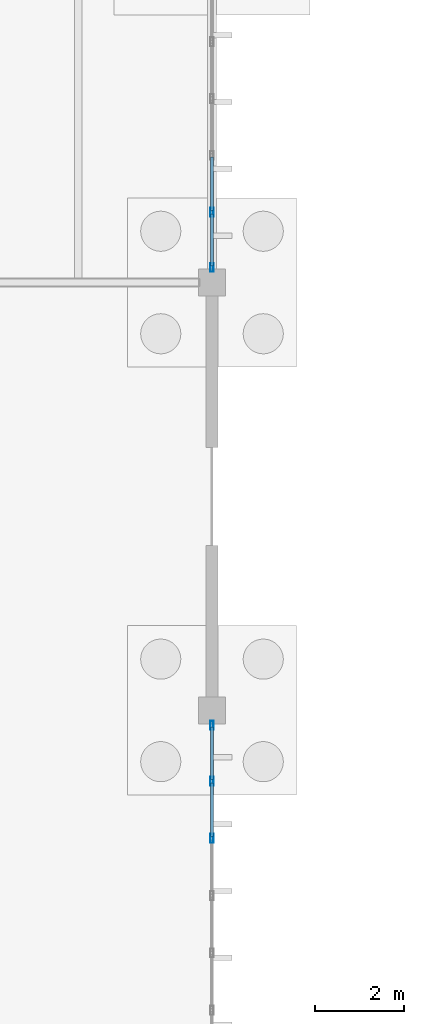
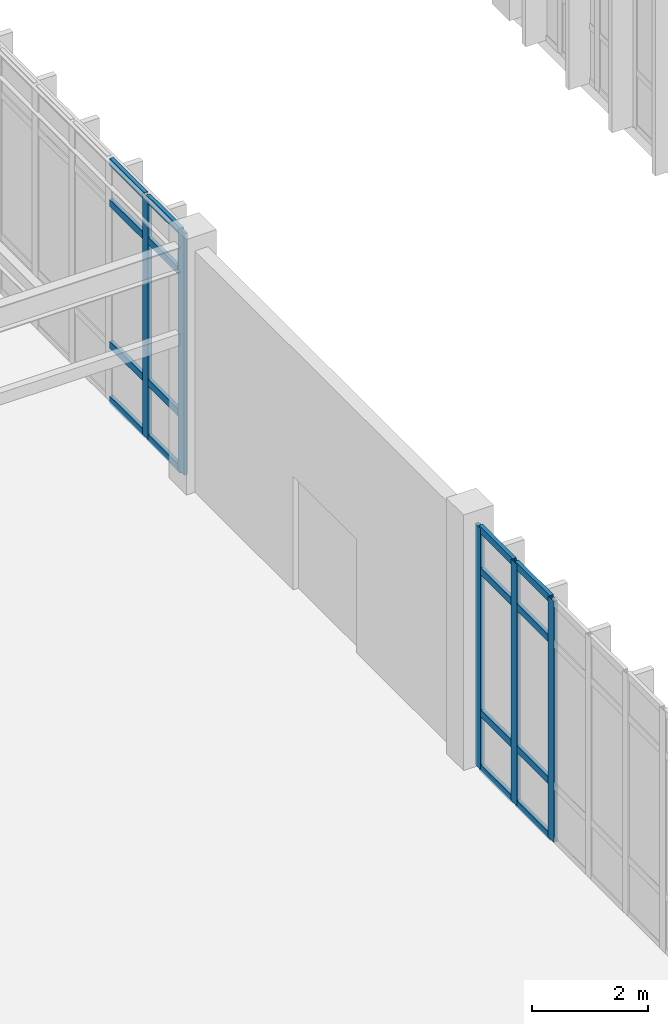
# One storey, part 110 of 188: 21 members, 2 elements without a shape of their own.
"""IFC4 building model written with IfcOpenShell, lengths in metres."""

from ifc_helpers import new_model, si_unit, direction, frame, origin, origin_2d, place, context, subcontext, project, spatial, hollow_rectangle, extrude, material, layer, layer_set, material_profile, profile_set, type_object, element, aggregate, save


model = new_model("IFC4")

# Units and contexts
model_context = context("Model", 3, precision=1e-05, world=origin(), true_north=direction((0.0, 1.0)))
body_context = subcontext(model_context, "Body", "Model", "MODEL_VIEW")
ifc_project = project(units=[si_unit("LENGTHUNIT", "METRE"), si_unit("AREAUNIT", "SQUARE_METRE"), si_unit("VOLUMEUNIT", "CUBIC_METRE"), si_unit("PLANEANGLEUNIT", "RADIAN"), si_unit("MASSUNIT", "GRAM", prefix="KILO")], contexts=[model_context])

# Site, building, storey
site_placement = place(None, origin())
site = spatial("IfcSite", under=ifc_project, at=site_placement, CompositionType="ELEMENT")
building_placement = place(site_placement, origin())
building = spatial("IfcBuilding", under=site, at=building_placement, Name="Pandanus Reach Market Hall", CompositionType="ELEMENT")
storey_placement = place(building_placement, origin())
storey = spatial("IfcBuildingStorey", under=building, at=storey_placement, Name="L00", CompositionType="ELEMENT", Elevation=0.0)

# Curtain wall, members
ifc_material_1 = material(Name="Bronze anodised aluminium and low-E glass", Category="aluminium")
ifc_layer_1 = layer(ifc_material_1, 0.199951171875, Name="CW-06")
ifc_layer_set_1 = layer_set([ifc_layer_1], Name="Bronze anodised aluminium and low-E glass")
curtain_wall_type_1 = type_object("IfcCurtainWallType", Name="CW-06", PredefinedType="NOTDEFINED", material=ifc_layer_set_1)
curtain_wall_1_placement = place(storey_placement, origin())
curtain_wall_1 = element("IfcCurtainWall", 1, at=curtain_wall_1_placement, inside=storey, type_object=curtain_wall_type_1, Name="Glazed curtain wall CW-06 CW-0030", PredefinedType="NOTDEFINED")
ifc_material_2 = material(Name="Bronze anodised aluminium", Category="aluminium")
ifc_material_profile_1 = material_profile(ifc_material_2, hollow_rectangle(XDim=0.074951171875, YDim=0.199951171875, WallThickness=0.00439453125, at=origin_2d()), Name="ALU75x200", Category="LoadBearing")
ifc_profile_set_1 = profile_set([ifc_material_profile_1], Name="Bronze anodised aluminium")
member_type_1 = type_object("IfcMemberType", Name="CW-M2", PredefinedType="MULLION", material=ifc_profile_set_1)
member_1_placement = place(storey_placement, frame((132.0, 64.32861328125, 0.0), z_axis=(0.0, 0.0, 1.0), x_axis=(-1.0, 0.0, 0.0)))
member_1 = element("IfcMember", 2, at=member_1_placement, type_object=member_type_1, Name="CW-06 mullion 6", PredefinedType="MULLION", context=body_context, shape_type="SweptSolid", body=[
    extrude(hollow_rectangle(XDim=0.074951171875, YDim=0.199951171875, WallThickness=0.00439453125, at=origin_2d()), origin(), (0.0, 0.0, 1.0), 5.10009765625),
])
member_2_placement = place(storey_placement, frame((132.0, 65.6142578125, 0.0), z_axis=(0.0, 0.0, 1.0), x_axis=(-1.0, 0.0, 0.0)))
member_2 = element("IfcMember", 3, at=member_2_placement, type_object=member_type_1, Name="CW-06 mullion 7", PredefinedType="MULLION", context=body_context, shape_type="SweptSolid", body=[
    extrude(hollow_rectangle(XDim=0.074951171875, YDim=0.199951171875, WallThickness=0.00439453125, at=origin_2d()), origin(), (0.0, 0.0, 1.0), 5.10009765625),
])
member_3_placement = place(storey_placement, frame((132.0, 66.862548828125, 0.0), z_axis=(0.0, 0.0, 1.0), x_axis=(-1.0, 0.0, 0.0)))
member_3 = element("IfcMember", 4, at=member_3_placement, type_object=member_type_1, Name="CW-06 mullion 8", PredefinedType="MULLION", context=body_context, shape_type="SweptSolid", body=[
    extrude(hollow_rectangle(XDim=0.074951171875, YDim=0.199951171875, WallThickness=0.00439453125, at=origin_2d()), origin(), (0.0, 0.0, 1.0), 5.10009765625),
])

ifc_layer_2 = layer(ifc_material_1, 0.199951171875, Name="CW-03")
ifc_layer_set_2 = layer_set([ifc_layer_2], Name="Bronze anodised aluminium and low-E glass")
curtain_wall_type_2 = type_object("IfcCurtainWallType", Name="CW-03", PredefinedType="NOTDEFINED", material=ifc_layer_set_2)
curtain_wall_2_placement = place(storey_placement, origin())
curtain_wall_2 = element("IfcCurtainWall", 5, at=curtain_wall_2_placement, inside=storey, type_object=curtain_wall_type_2, Name="Glazed curtain wall CW-03 CW-0036", PredefinedType="NOTDEFINED")
member_4_placement = place(storey_placement, frame((132.0, 77.137451171875, 0.0), z_axis=(0.0, 0.0, 1.0), x_axis=(-1.0, 0.0, 0.0)))
member_4 = element("IfcMember", 6, at=member_4_placement, type_object=member_type_1, Name="CW-03 mullion 1", PredefinedType="MULLION", context=body_context, shape_type="SweptSolid", body=[
    extrude(hollow_rectangle(XDim=0.074951171875, YDim=0.199951171875, WallThickness=0.00439453125, at=origin_2d()), origin(), (0.0, 0.0, 1.0), 5.10009765625),
])
member_5_placement = place(storey_placement, frame((132.0, 78.375, 0.0), z_axis=(0.0, 0.0, 1.0), x_axis=(-1.0, 0.0, 0.0)))
member_5 = element("IfcMember", 7, at=member_5_placement, type_object=member_type_1, Name="CW-03 mullion 2", PredefinedType="MULLION", context=body_context, shape_type="SweptSolid", body=[
    extrude(hollow_rectangle(XDim=0.074951171875, YDim=0.199951171875, WallThickness=0.00439453125, at=origin_2d()), origin(), (0.0, 0.0, 1.0), 5.10009765625),
])

# Member
ifc_material_profile_2 = material_profile(ifc_material_2, hollow_rectangle(XDim=0.074951171875, YDim=0.14990234375, WallThickness=0.00439453125, at=origin_2d()), Name="ALU75x150", Category="LoadBearing")
ifc_profile_set_2 = profile_set([ifc_material_profile_2], Name="Bronze anodised aluminium")
member_type_2 = type_object("IfcMemberType", Name="CW-T2", PredefinedType="USERDEFINED", material=ifc_profile_set_2)
member_6_placement = place(storey_placement, frame((132.0, 64.365966796875, 0.03759765625), z_axis=(0.0, 1.0, 0.0), x_axis=(-1.0, 0.0, 0.0)))
member_6 = element("IfcMember", 8, at=member_6_placement, type_object=member_type_2, Name="CW-06 transom 6.1", ObjectType="TRANSOM", PredefinedType="USERDEFINED", context=body_context, shape_type="SweptSolid", body=[
    extrude(hollow_rectangle(XDim=0.074951171875, YDim=0.14990234375, WallThickness=0.00439453125, at=origin_2d()), origin(), (0.0, 0.0, 1.0), 1.2109375),
])

member_7_placement = place(storey_placement, frame((132.0, 64.365966796875, 1.199951171875), z_axis=(0.0, 1.0, 0.0), x_axis=(-1.0, 0.0, 0.0)))
member_7 = element("IfcMember", 9, at=member_7_placement, type_object=member_type_2, Name="CW-06 transom 6.2", ObjectType="TRANSOM", PredefinedType="USERDEFINED", context=body_context, shape_type="SweptSolid", body=[
    extrude(hollow_rectangle(XDim=0.074951171875, YDim=0.14990234375, WallThickness=0.00439453125, at=origin_2d()), origin(), (0.0, 0.0, 1.0), 1.2109375),
])

member_8_placement = place(storey_placement, frame((132.0, 64.365966796875, 4.199951171875), z_axis=(0.0, 1.0, 0.0), x_axis=(-1.0, 0.0, 0.0)))
member_8 = element("IfcMember", 10, at=member_8_placement, type_object=member_type_2, Name="CW-06 transom 6.3", ObjectType="TRANSOM", PredefinedType="USERDEFINED", context=body_context, shape_type="SweptSolid", body=[
    extrude(hollow_rectangle(XDim=0.074951171875, YDim=0.14990234375, WallThickness=0.00439453125, at=origin_2d()), origin(), (0.0, 0.0, 1.0), 1.2109375),
])

member_9_placement = place(storey_placement, frame((132.0, 64.365966796875, 5.0625), z_axis=(0.0, 1.0, 0.0), x_axis=(-1.0, 0.0, 0.0)))
member_9 = element("IfcMember", 11, at=member_9_placement, type_object=member_type_2, Name="CW-06 transom 6.4", ObjectType="TRANSOM", PredefinedType="USERDEFINED", context=body_context, shape_type="SweptSolid", body=[
    extrude(hollow_rectangle(XDim=0.074951171875, YDim=0.14990234375, WallThickness=0.00439453125, at=origin_2d()), origin(), (0.0, 0.0, 1.0), 1.2109375),
])

member_10_placement = place(storey_placement, frame((132.0, 65.65185546875, 0.03759765625), z_axis=(0.0, 1.0, 0.0), x_axis=(-1.0, 0.0, 0.0)))
member_10 = element("IfcMember", 12, at=member_10_placement, type_object=member_type_2, Name="CW-06 transom 7.1", ObjectType="TRANSOM", PredefinedType="USERDEFINED", context=body_context, shape_type="SweptSolid", body=[
    extrude(hollow_rectangle(XDim=0.074951171875, YDim=0.14990234375, WallThickness=0.00439453125, at=origin_2d()), origin(), (0.0, 0.0, 1.0), 1.173095703125),
])

member_11_placement = place(storey_placement, frame((132.0, 65.65185546875, 1.199951171875), z_axis=(0.0, 1.0, 0.0), x_axis=(-1.0, 0.0, 0.0)))
member_11 = element("IfcMember", 13, at=member_11_placement, type_object=member_type_2, Name="CW-06 transom 7.2", ObjectType="TRANSOM", PredefinedType="USERDEFINED", context=body_context, shape_type="SweptSolid", body=[
    extrude(hollow_rectangle(XDim=0.074951171875, YDim=0.14990234375, WallThickness=0.00439453125, at=origin_2d()), origin(), (0.0, 0.0, 1.0), 1.173095703125),
])

member_12_placement = place(storey_placement, frame((132.0, 65.65185546875, 4.199951171875), z_axis=(0.0, 1.0, 0.0), x_axis=(-1.0, 0.0, 0.0)))
member_12 = element("IfcMember", 14, at=member_12_placement, type_object=member_type_2, Name="CW-06 transom 7.3", ObjectType="TRANSOM", PredefinedType="USERDEFINED", context=body_context, shape_type="SweptSolid", body=[
    extrude(hollow_rectangle(XDim=0.074951171875, YDim=0.14990234375, WallThickness=0.00439453125, at=origin_2d()), origin(), (0.0, 0.0, 1.0), 1.173095703125),
])

member_13_placement = place(storey_placement, frame((132.0, 65.65185546875, 5.0625), z_axis=(0.0, 1.0, 0.0), x_axis=(-1.0, 0.0, 0.0)))
member_13 = element("IfcMember", 15, at=member_13_placement, type_object=member_type_2, Name="CW-06 transom 7.4", ObjectType="TRANSOM", PredefinedType="USERDEFINED", context=body_context, shape_type="SweptSolid", body=[
    extrude(hollow_rectangle(XDim=0.074951171875, YDim=0.14990234375, WallThickness=0.00439453125, at=origin_2d()), origin(), (0.0, 0.0, 1.0), 1.173095703125),
])

aggregate(curtain_wall_1, [member_1, member_2, member_3, member_6, member_7, member_8, member_9, member_10, member_11, member_12, member_13])

member_14_placement = place(storey_placement, frame((132.0, 77.175048828125, 0.03759765625), z_axis=(0.0, 1.0, 0.0), x_axis=(-1.0, 0.0, 0.0)))
member_14 = element("IfcMember", 16, at=member_14_placement, type_object=member_type_2, Name="CW-03 transom 1.1", ObjectType="TRANSOM", PredefinedType="USERDEFINED", context=body_context, shape_type="SweptSolid", body=[
    extrude(hollow_rectangle(XDim=0.074951171875, YDim=0.14990234375, WallThickness=0.00439453125, at=origin_2d()), origin(), (0.0, 0.0, 1.0), 1.162353515625),
])

member_15_placement = place(storey_placement, frame((132.0, 77.175048828125, 1.199951171875), z_axis=(0.0, 1.0, 0.0), x_axis=(-1.0, 0.0, 0.0)))
member_15 = element("IfcMember", 17, at=member_15_placement, type_object=member_type_2, Name="CW-03 transom 1.2", ObjectType="TRANSOM", PredefinedType="USERDEFINED", context=body_context, shape_type="SweptSolid", body=[
    extrude(hollow_rectangle(XDim=0.074951171875, YDim=0.14990234375, WallThickness=0.00439453125, at=origin_2d()), origin(), (0.0, 0.0, 1.0), 1.162353515625),
])

member_16_placement = place(storey_placement, frame((132.0, 77.175048828125, 4.199951171875), z_axis=(0.0, 1.0, 0.0), x_axis=(-1.0, 0.0, 0.0)))
member_16 = element("IfcMember", 18, at=member_16_placement, type_object=member_type_2, Name="CW-03 transom 1.3", ObjectType="TRANSOM", PredefinedType="USERDEFINED", context=body_context, shape_type="SweptSolid", body=[
    extrude(hollow_rectangle(XDim=0.074951171875, YDim=0.14990234375, WallThickness=0.00439453125, at=origin_2d()), origin(), (0.0, 0.0, 1.0), 1.162353515625),
])

member_17_placement = place(storey_placement, frame((132.0, 77.175048828125, 5.0625), z_axis=(0.0, 1.0, 0.0), x_axis=(-1.0, 0.0, 0.0)))
member_17 = element("IfcMember", 19, at=member_17_placement, type_object=member_type_2, Name="CW-03 transom 1.4", ObjectType="TRANSOM", PredefinedType="USERDEFINED", context=body_context, shape_type="SweptSolid", body=[
    extrude(hollow_rectangle(XDim=0.074951171875, YDim=0.14990234375, WallThickness=0.00439453125, at=origin_2d()), origin(), (0.0, 0.0, 1.0), 1.162353515625),
])

member_18_placement = place(storey_placement, frame((132.0, 78.41259765625, 0.03759765625), z_axis=(0.0, 1.0, 0.0), x_axis=(-1.0, 0.0, 0.0)))
member_18 = element("IfcMember", 20, at=member_18_placement, type_object=member_type_2, Name="CW-03 transom 2.1", ObjectType="TRANSOM", PredefinedType="USERDEFINED", context=body_context, shape_type="SweptSolid", body=[
    extrude(hollow_rectangle(XDim=0.074951171875, YDim=0.14990234375, WallThickness=0.00439453125, at=origin_2d()), origin(), (0.0, 0.0, 1.0), 1.199951171875),
])

member_19_placement = place(storey_placement, frame((132.0, 78.41259765625, 1.199951171875), z_axis=(0.0, 1.0, 0.0), x_axis=(-1.0, 0.0, 0.0)))
member_19 = element("IfcMember", 21, at=member_19_placement, type_object=member_type_2, Name="CW-03 transom 2.2", ObjectType="TRANSOM", PredefinedType="USERDEFINED", context=body_context, shape_type="SweptSolid", body=[
    extrude(hollow_rectangle(XDim=0.074951171875, YDim=0.14990234375, WallThickness=0.00439453125, at=origin_2d()), origin(), (0.0, 0.0, 1.0), 1.199951171875),
])

member_20_placement = place(storey_placement, frame((132.0, 78.41259765625, 4.199951171875), z_axis=(0.0, 1.0, 0.0), x_axis=(-1.0, 0.0, 0.0)))
member_20 = element("IfcMember", 22, at=member_20_placement, type_object=member_type_2, Name="CW-03 transom 2.3", ObjectType="TRANSOM", PredefinedType="USERDEFINED", context=body_context, shape_type="SweptSolid", body=[
    extrude(hollow_rectangle(XDim=0.074951171875, YDim=0.14990234375, WallThickness=0.00439453125, at=origin_2d()), origin(), (0.0, 0.0, 1.0), 1.199951171875),
])

member_21_placement = place(storey_placement, frame((132.0, 78.41259765625, 5.0625), z_axis=(0.0, 1.0, 0.0), x_axis=(-1.0, 0.0, 0.0)))
member_21 = element("IfcMember", 23, at=member_21_placement, type_object=member_type_2, Name="CW-03 transom 2.4", ObjectType="TRANSOM", PredefinedType="USERDEFINED", context=body_context, shape_type="SweptSolid", body=[
    extrude(hollow_rectangle(XDim=0.074951171875, YDim=0.14990234375, WallThickness=0.00439453125, at=origin_2d()), origin(), (0.0, 0.0, 1.0), 1.199951171875),
])

aggregate(curtain_wall_2, [member_4, member_5, member_14, member_15, member_16, member_17, member_18, member_19, member_20, member_21])

save(model, "model.ifc")
